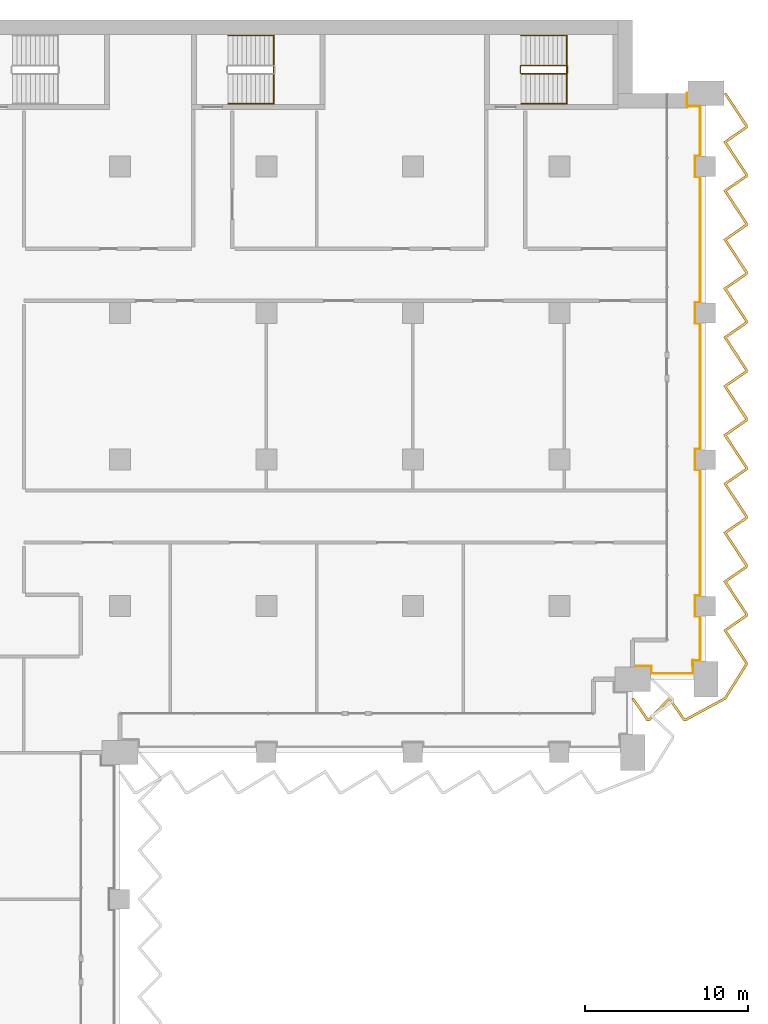
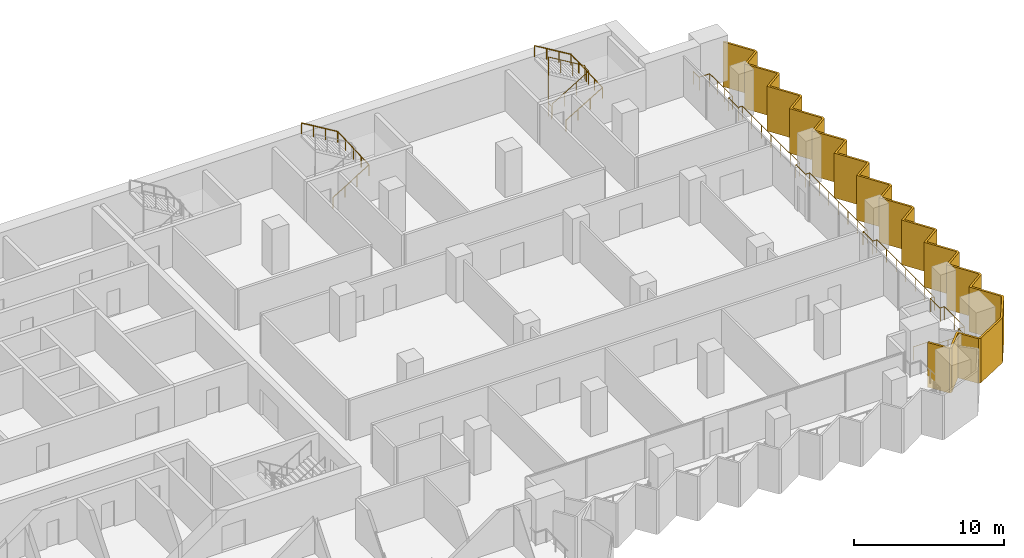
# One storey, part 22 of 22: 4 railings, 1 shading device.
"""IFC4 building model written with IfcOpenShell, lengths in metres."""

import ifcopenshell
import ifcopenshell.guid

model = None  # the IFC model being written
_history = None  # IfcOwnerHistory: only IFC2X3 demands one
_inside = {}  # id of a spatial element -> (the spatial element, [elements in it])
_under = {}  # id of a project, library or spatial element -> (it, [spatial elements below it])
_declared = {}  # id of a project -> (the project, [libraries it declares])
_typed = {}  # id of a type object -> (the type object, [elements of that type])
_made_of = {}  # id of a material, layer set ... -> (it, [elements and type objects made of it])


def new_model(schema):
    """Start an empty IFC model of exactly this schema.

    Asked for "IFC4X3", IfcOpenShell would pick the latest addendum, in which some entities
    have other attributes; the version numbers below select the first issue.
    IFC2X3 requires an IfcOwnerHistory on every rooted entity: one is made here for all.
    """
    global model, _history
    if schema == "IFC4X3":
        model = ifcopenshell.file(schema_version=(4, 3, 0, 0))
    else:
        model = ifcopenshell.file(schema=schema)
    _inside.clear()
    _under.clear()
    _declared.clear()
    _typed.clear()
    _made_of.clear()
    _history = None
    if model.schema == "IFC2X3":
        org = make("IfcOrganization", Name="unknown")
        user = make(
            "IfcPersonAndOrganization",
            ThePerson=make("IfcPerson", FamilyName="unknown"),
            TheOrganization=org,
        )
        app = make(
            "IfcApplication",
            ApplicationDeveloper=org,
            Version="unknown",
            ApplicationFullName="unknown",
            ApplicationIdentifier="unknown",
        )
        _history = make(
            "IfcOwnerHistory",
            OwningUser=user,
            OwningApplication=app,
            ChangeAction="ADDED",
            CreationDate=0,
        )
    return model


def make(cls, **values):
    """One entity of the class cls with the attributes given. An attribute that is None is left unset."""
    return model.create_entity(
        cls, **{name: value for name, value in values.items() if value is not None}
    )


def rooted(cls, **values):
    """An entity with a GlobalId (a new one), such as an element, a storey or a relation."""
    return make(cls, GlobalId=ifcopenshell.guid.new(), OwnerHistory=_history, **values)


def si_unit(unit_type, name, prefix=None):
    """IfcSIUnit, for example si_unit("LENGTHUNIT", "METRE", prefix="MILLI")."""
    return make("IfcSIUnit", UnitType=unit_type, Prefix=prefix, Name=name)


def assignment(units):
    """IfcUnitAssignment: the units of a project."""
    return None if units is None else make("IfcUnitAssignment", Units=units)


def point(xyz):
    """IfcCartesianPoint."""
    return None if xyz is None else make("IfcCartesianPoint", Coordinates=xyz)


def direction(xyz):
    """IfcDirection."""
    return None if xyz is None else make("IfcDirection", DirectionRatios=xyz)


def frame(location, z_axis=None, x_axis=None):
    """IfcAxis2Placement3D, a coordinate frame: its origin and axes. An axis left out is left unset."""
    return make(
        "IfcAxis2Placement3D",
        Location=point(location),
        Axis=direction(z_axis),
        RefDirection=direction(x_axis),
    )


def frame_2d(location, x_axis=None):
    """IfcAxis2Placement2D, a coordinate frame in the plane: its origin and x axis."""
    return make(
        "IfcAxis2Placement2D", Location=point(location), RefDirection=direction(x_axis)
    )


def origin():
    """The frame at (0, 0, 0) with its axes left unset."""
    return frame((0.0, 0.0, 0.0))


def origin_2d():
    """The frame at (0, 0) in the plane with its x axis left unset."""
    return frame_2d((0.0, 0.0))


def place(relative_to, where):
    """IfcLocalPlacement: puts the frame where relative to a parent placement (None: the world)."""
    return make(
        "IfcLocalPlacement", PlacementRelTo=relative_to, RelativePlacement=where
    )


def context(
    kind, dimensions, precision=None, world=None, true_north=None, identifier=None
):
    """IfcGeometricRepresentationContext, for example the 3D "Model" context."""
    return make(
        "IfcGeometricRepresentationContext",
        ContextIdentifier=identifier,
        ContextType=kind,
        CoordinateSpaceDimension=dimensions,
        Precision=precision,
        WorldCoordinateSystem=world,
        TrueNorth=true_north,
    )


def subcontext(parent, identifier, kind, view, scale=None):
    """IfcGeometricRepresentationSubContext, for example "Body" below "Model"."""
    return make(
        "IfcGeometricRepresentationSubContext",
        ContextIdentifier=identifier,
        ContextType=kind,
        ParentContext=parent,
        TargetScale=scale,
        TargetView=view,
    )


def project(units=None, contexts=None):
    """IfcProject with its units and contexts."""
    return rooted(
        "IfcProject",
        Name="project",
        RepresentationContexts=contexts,
        UnitsInContext=assignment(units),
    )


def spatial(cls, under=None, at=None, **own):
    """A site, building, storey or space (cls), placed at a placement, below another one or the project."""
    s = rooted(cls, ObjectPlacement=at, **own)
    if under is not None:
        _under.setdefault(under.id(), (under, []))[1].append(s)
    return s


def polyline(points):
    """IfcPolyline through the points."""
    return make("IfcPolyline", Points=[point(p) for p in points])


def profile(cls, at=None, kind="AREA", **sizes):
    """A parametric profile (cls). Its sizes go by their IFC names, for example OverallWidth=200.0."""
    return make(cls, ProfileType=kind, Position=at, **sizes)


def circle(**sizes):
    """IfcCircleProfileDef."""
    return profile("IfcCircleProfileDef", **sizes)


def outline(outer, holes=None, kind="AREA"):
    """IfcArbitraryClosedProfileDef: a profile drawn as a closed curve; with holes, ...WithVoids."""
    if holes is None:
        return make("IfcArbitraryClosedProfileDef", ProfileType=kind, OuterCurve=outer)
    return make(
        "IfcArbitraryProfileDefWithVoids",
        ProfileType=kind,
        OuterCurve=outer,
        InnerCurves=holes,
    )


def extrude(swept, where, along, depth):
    """IfcExtrudedAreaSolid: the profile swept, set in the frame where, extruded along a direction by depth."""
    return make(
        "IfcExtrudedAreaSolid",
        SweptArea=swept,
        Position=where,
        ExtrudedDirection=direction(along),
        Depth=depth,
    )


def shape(context_of_items, identifier, shape_type, items):
    """IfcShapeRepresentation: the items that make up one representation, for example the "Body"."""
    return make(
        "IfcShapeRepresentation",
        ContextOfItems=context_of_items,
        RepresentationIdentifier=identifier,
        RepresentationType=shape_type,
        Items=items,
    )


def material(Name=None, Category=None):
    """IfcMaterial."""
    return make("IfcMaterial", Name=Name, Category=Category)


def layer(
    of_material, thickness, ventilated=None, Name=None, Category=None, Priority=None
):
    """IfcMaterialLayer: one layer of a wall or slab, of a material (None: an air gap)."""
    return make(
        "IfcMaterialLayer",
        Material=of_material,
        LayerThickness=thickness,
        IsVentilated=ventilated,
        Name=Name,
        Category=Category,
        Priority=Priority,
    )


def layer_set(layers, Name=None):
    """IfcMaterialLayerSet."""
    return make("IfcMaterialLayerSet", MaterialLayers=layers, LayerSetName=Name)


def made_of(thing, what):
    """Note that an element or type object is made of a material, layer set ...; save() writes the relation."""
    if what is not None:
        _made_of.setdefault(what.id(), (what, []))[1].append(thing)
    return thing


def type_object(cls, material=None, **own):
    """A type object (cls), such as IfcWallType, which elements share."""
    return made_of(rooted(cls, **own), material)


def element(
    cls,
    number,
    at=None,
    inside=None,
    cuts=None,
    type_object=None,
    material=None,
    context=None,
    identifier="Body",
    shape_type=None,
    held_by="IfcProductDefinitionShape",
    body=None,
    shapes=None,
    **own,
):
    """One element of the class cls, such as IfcWall. Its Tag is "e" and its number.

    at: its placement. inside: the storey or other place that contains it. cuts: it is an
    opening in that element (IfcRelVoidsElement). A single representation is given by context,
    identifier, shape_type and body (its items); several are given by shapes. held_by: the class
    of the entity that holds the representations. save() writes the other relations.
    """
    e = rooted(cls, Tag="e%d" % number, ObjectPlacement=at, **own)
    if body is not None:
        shapes = [shape(context, identifier, shape_type, body)]
    if shapes is not None:
        e.Representation = make(held_by, Representations=shapes)
    if inside is not None:
        _inside.setdefault(inside.id(), (inside, []))[1].append(e)
    if cuts is not None:
        rooted(
            "IfcRelVoidsElement", RelatingBuildingElement=cuts, RelatedOpeningElement=e
        )
    if type_object is not None:
        _typed.setdefault(type_object.id(), (type_object, []))[1].append(e)
    return made_of(e, material)


def aggregate(whole, parts):
    """IfcRelAggregates: a whole, such as a stair, and the parts it consists of."""
    return rooted("IfcRelAggregates", RelatingObject=whole, RelatedObjects=parts)


def save(model, path):
    """Write the relations noted so far, then the file.

    IfcRelAggregates (storeys below a building ...), IfcRelContainedInSpatialStructure (elements
    in a storey), IfcRelDefinesByType, IfcRelAssociatesMaterial and IfcRelDeclares: one each for
    every whole, place, type object, material and project.
    """
    for whole, parts in _under.values():
        aggregate(whole, parts)
    for where, things in _inside.values():
        rooted(
            "IfcRelContainedInSpatialStructure",
            RelatedElements=things,
            RelatingStructure=where,
        )
    for kind, things in _typed.values():
        rooted("IfcRelDefinesByType", RelatedObjects=things, RelatingType=kind)
    for what, things in _made_of.values():
        rooted("IfcRelAssociatesMaterial", RelatedObjects=things, RelatingMaterial=what)
    for by, libraries in _declared.values():
        rooted("IfcRelDeclares", RelatingContext=by, RelatedDefinitions=libraries)
    model.write(path)


model = new_model("IFC4")

# Units and contexts
model_context = context("Model", 3, precision=1e-05, world=origin(), true_north=direction((0.0, 1.0)))
body_context = subcontext(model_context, "Body", "Model", "MODEL_VIEW")
ifc_project = project(units=[si_unit("LENGTHUNIT", "METRE"), si_unit("AREAUNIT", "SQUARE_METRE"), si_unit("VOLUMEUNIT", "CUBIC_METRE"), si_unit("PLANEANGLEUNIT", "RADIAN"), si_unit("MASSUNIT", "GRAM", prefix="KILO")], contexts=[model_context])

# Site, building, storey
site_placement = place(None, origin())
site = spatial("IfcSite", under=ifc_project, at=site_placement, CompositionType="ELEMENT")
building_placement = place(site_placement, origin())
building = spatial("IfcBuilding", under=site, at=building_placement, Name="Hunhe Ridgeline Campus", CompositionType="ELEMENT")
storey_placement = place(building_placement, frame((0.0, 0.0, 84.800048828125)))
storey = spatial("IfcBuildingStorey", under=building, at=storey_placement, Name="L20", CompositionType="ELEMENT", Elevation=84.800048828125)

# Railing
ifc_material_1 = material(Name="Steel Q355", Category="steel")
railing_type_1 = type_object("IfcRailingType", Name="Loggia guard 1100 Steel Q355", PredefinedType="GUARDRAIL", material=ifc_material_1)
railing_1_placement = place(storey_placement, frame((76.5, 59.320068359375, 0.0)))
element("IfcRailing", 1, at=railing_1_placement, inside=storey, type_object=railing_type_1, Name="Loggia guard 3", PredefinedType="GUARDRAIL", context=body_context, shape_type="SweptSolid", body=[
    extrude(circle(Radius=0.02392578125, at=origin_2d()), frame((0.0, 0.0, 1.076171875), z_axis=(1.0, 0.0, 0.0), x_axis=(0.0, 1.0, 0.0)), (0.0, 0.0, 1.0), 1.14990234375),
    extrude(circle(Radius=0.02392578125, at=origin_2d()), frame((1.14990234375, 0.0, 1.076171875), z_axis=(0.0, -1.0, 0.0), x_axis=(1.0, 0.0, 0.0)), (0.0, 0.0, 1.0), 0.469970703125),
    extrude(circle(Radius=0.02392578125, at=origin_2d()), frame((1.14990234375, -0.469970703125, 1.076171875), z_axis=(1.0, 0.0, 0.0), x_axis=(0.0, 1.0, 0.0)), (0.0, 0.0, 1.0), 2.550048828125),
    extrude(circle(Radius=0.02392578125, at=origin_2d()), frame((3.699951171875, -0.469970703125, 1.076171875), z_axis=(0.0, 1.0, 0.0), x_axis=(-1.0, 0.0, 0.0)), (0.0, 0.0, 1.0), 0.81982421875),
    extrude(circle(Radius=0.02392578125, at=origin_2d()), frame((3.699951171875, 0.349853515625, 1.076171875), z_axis=(-0.057129153726, -0.99836679622, 0.0), x_axis=(0.99836679622, -0.057129153726, 0.0)), (0.0, 0.0, 1.0), 0.350341796875),
    extrude(circle(Radius=0.02392578125, at=origin_2d()), frame((3.679931640625, 0.0, 1.076171875), z_axis=(0.0, 1.0, 0.0), x_axis=(-1.0, 0.0, 0.0)), (0.0, 0.0, 1.0), 0.329833984375),
    extrude(circle(Radius=0.02392578125, at=origin_2d()), frame((3.679931640625, 0.329833984375, 1.076171875), z_axis=(1.0, 0.0, 0.0), x_axis=(0.0, 1.0, 0.0)), (0.0, 0.0, 1.0), 0.469970703125),
    extrude(circle(Radius=0.02392578125, at=origin_2d()), frame((4.14990234375, 0.329833984375, 1.076171875), z_axis=(0.0, 1.0, 0.0), x_axis=(-1.0, 0.0, 0.0)), (0.0, 0.0, 1.0), 2.7001953125),
    extrude(circle(Radius=0.02392578125, at=origin_2d()), frame((4.14990234375, 3.030029296875, 1.076171875), z_axis=(-1.0, 0.0, 0.0), x_axis=(0.0, -1.0, 0.0)), (0.0, 0.0, 1.0), 0.31982421875),
    extrude(circle(Radius=0.02392578125, at=origin_2d()), frame((3.830078125, 3.030029296875, 1.076171875), z_axis=(0.0, 1.0, 0.0), x_axis=(-1.0, 0.0, 0.0)), (0.0, 0.0, 1.0), 1.2998046875),
    extrude(circle(Radius=0.02392578125, at=origin_2d()), frame((3.830078125, 4.329833984375, 1.076171875), z_axis=(1.0, 0.0, 0.0), x_axis=(0.0, 1.0, 0.0)), (0.0, 0.0, 1.0), 0.31982421875),
    extrude(circle(Radius=0.02392578125, at=origin_2d()), frame((4.14990234375, 4.329833984375, 1.076171875), z_axis=(0.0, 1.0, 0.0), x_axis=(-1.0, 0.0, 0.0)), (0.0, 0.0, 1.0), 7.7001953125),
    extrude(circle(Radius=0.02392578125, at=origin_2d()), frame((4.14990234375, 12.030029296875, 1.076171875), z_axis=(-1.0, 0.0, 0.0), x_axis=(0.0, -1.0, 0.0)), (0.0, 0.0, 1.0), 0.31982421875),
    extrude(circle(Radius=0.02392578125, at=origin_2d()), frame((3.830078125, 12.030029296875, 1.076171875), z_axis=(0.0, 1.0, 0.0), x_axis=(-1.0, 0.0, 0.0)), (0.0, 0.0, 1.0), 1.2998046875),
    extrude(circle(Radius=0.02392578125, at=origin_2d()), frame((3.830078125, 13.329833984375, 1.076171875), z_axis=(1.0, 0.0, 0.0), x_axis=(0.0, 1.0, 0.0)), (0.0, 0.0, 1.0), 0.31982421875),
    extrude(circle(Radius=0.02392578125, at=origin_2d()), frame((4.14990234375, 13.329833984375, 1.076171875), z_axis=(0.0, 1.0, 0.0), x_axis=(-1.0, 0.0, 0.0)), (0.0, 0.0, 1.0), 7.7001953125),
    extrude(circle(Radius=0.02392578125, at=origin_2d()), frame((4.14990234375, 21.030029296875, 1.076171875), z_axis=(-1.0, 0.0, 0.0), x_axis=(0.0, -1.0, 0.0)), (0.0, 0.0, 1.0), 0.31982421875),
    extrude(circle(Radius=0.02392578125, at=origin_2d()), frame((3.830078125, 21.030029296875, 1.076171875), z_axis=(0.0, 1.0, 0.0), x_axis=(-1.0, 0.0, 0.0)), (0.0, 0.0, 1.0), 1.2998046875),
    extrude(circle(Radius=0.02392578125, at=origin_2d()), frame((3.830078125, 22.329833984375, 1.076171875), z_axis=(1.0, 0.0, 0.0), x_axis=(0.0, 1.0, 0.0)), (0.0, 0.0, 1.0), 0.31982421875),
    extrude(circle(Radius=0.02392578125, at=origin_2d()), frame((4.14990234375, 22.329833984375, 1.076171875), z_axis=(0.0, 1.0, 0.0), x_axis=(-1.0, 0.0, 0.0)), (0.0, 0.0, 1.0), 7.7001953125),
    extrude(circle(Radius=0.02392578125, at=origin_2d()), frame((4.14990234375, 30.030029296875, 1.076171875), z_axis=(-1.0, 0.0, 0.0), x_axis=(0.0, -1.0, 0.0)), (0.0, 0.0, 1.0), 0.31982421875),
    extrude(circle(Radius=0.02392578125, at=origin_2d()), frame((3.830078125, 30.030029296875, 1.076171875), z_axis=(0.0, 1.0, 0.0), x_axis=(-1.0, 0.0, 0.0)), (0.0, 0.0, 1.0), 1.2998046875),
    extrude(circle(Radius=0.02392578125, at=origin_2d()), frame((3.830078125, 31.329833984375, 1.076171875), z_axis=(1.0, 0.0, 0.0), x_axis=(0.0, 1.0, 0.0)), (0.0, 0.0, 1.0), 0.31982421875),
    extrude(circle(Radius=0.02392578125, at=origin_2d()), frame((4.14990234375, 31.329833984375, 1.076171875), z_axis=(0.0, 1.0, 0.0), x_axis=(-1.0, 0.0, 0.0)), (0.0, 0.0, 1.0), 3.050048828125),
    extrude(circle(Radius=0.02392578125, at=origin_2d()), frame((4.14990234375, 34.3798828125, 1.076171875), z_axis=(-1.0, 0.0, 0.0), x_axis=(0.0, -1.0, 0.0)), (0.0, 0.0, 1.0), 0.81982421875),
    extrude(circle(Radius=0.02392578125, at=origin_2d()), frame((3.330078125, 34.3798828125, 1.076171875), z_axis=(0.0, 1.0, 0.0), x_axis=(-1.0, 0.0, 0.0)), (0.0, 0.0, 1.0), 0.800048828125),
    extrude(circle(Radius=0.02099609375, at=origin_2d()), origin(), (0.0, 0.0, 1.0), 1.052001953125),
    extrude(circle(Radius=0.02099609375, at=origin_2d()), frame((1.14990234375, 0.0, 0.0)), (0.0, 0.0, 1.0), 1.052001953125),
    extrude(circle(Radius=0.02099609375, at=origin_2d()), frame((1.14990234375, -0.469970703125, 0.0)), (0.0, 0.0, 1.0), 1.052001953125),
    extrude(circle(Radius=0.02099609375, at=origin_2d()), frame((2.4248046875, -0.469970703125, 0.0)), (0.0, 0.0, 1.0), 1.052001953125),
    extrude(circle(Radius=0.02099609375, at=origin_2d()), frame((3.699951171875, -0.469970703125, 0.0)), (0.0, 0.0, 1.0), 1.052001953125),
    extrude(circle(Radius=0.02099609375, at=origin_2d()), frame((3.699951171875, 0.349853515625, 0.0)), (0.0, 0.0, 1.0), 1.052001953125),
    extrude(circle(Radius=0.02099609375, at=origin_2d()), frame((3.679931640625, 0.0, 0.0)), (0.0, 0.0, 1.0), 1.052001953125),
    extrude(circle(Radius=0.02099609375, at=origin_2d()), frame((3.679931640625, 0.329833984375, 0.0)), (0.0, 0.0, 1.0), 1.052001953125),
    extrude(circle(Radius=0.02099609375, at=origin_2d()), frame((4.14990234375, 0.329833984375, 0.0)), (0.0, 0.0, 1.0), 1.052001953125),
    extrude(circle(Radius=0.02099609375, at=origin_2d()), frame((4.14990234375, 1.679931640625, 0.0)), (0.0, 0.0, 1.0), 1.052001953125),
    extrude(circle(Radius=0.02099609375, at=origin_2d()), frame((4.14990234375, 3.030029296875, 0.0)), (0.0, 0.0, 1.0), 1.052001953125),
    extrude(circle(Radius=0.02099609375, at=origin_2d()), frame((3.830078125, 3.030029296875, 0.0)), (0.0, 0.0, 1.0), 1.052001953125),
    extrude(circle(Radius=0.02099609375, at=origin_2d()), frame((3.830078125, 4.329833984375, 0.0)), (0.0, 0.0, 1.0), 1.052001953125),
    extrude(circle(Radius=0.02099609375, at=origin_2d()), frame((4.14990234375, 4.329833984375, 0.0)), (0.0, 0.0, 1.0), 1.052001953125),
    extrude(circle(Radius=0.02099609375, at=origin_2d()), frame((4.14990234375, 5.61328125, 0.0)), (0.0, 0.0, 1.0), 1.052001953125),
    extrude(circle(Radius=0.02099609375, at=origin_2d()), frame((4.14990234375, 6.896484375, 0.0)), (0.0, 0.0, 1.0), 1.052001953125),
    extrude(circle(Radius=0.02099609375, at=origin_2d()), frame((4.14990234375, 8.179931640625, 0.0)), (0.0, 0.0, 1.0), 1.052001953125),
    extrude(circle(Radius=0.02099609375, at=origin_2d()), frame((4.14990234375, 9.46337890625, 0.0)), (0.0, 0.0, 1.0), 1.052001953125),
    extrude(circle(Radius=0.02099609375, at=origin_2d()), frame((4.14990234375, 10.74658203125, 0.0)), (0.0, 0.0, 1.0), 1.052001953125),
    extrude(circle(Radius=0.02099609375, at=origin_2d()), frame((4.14990234375, 12.030029296875, 0.0)), (0.0, 0.0, 1.0), 1.052001953125),
    extrude(circle(Radius=0.02099609375, at=origin_2d()), frame((3.830078125, 12.030029296875, 0.0)), (0.0, 0.0, 1.0), 1.052001953125),
    extrude(circle(Radius=0.02099609375, at=origin_2d()), frame((3.830078125, 13.329833984375, 0.0)), (0.0, 0.0, 1.0), 1.052001953125),
    extrude(circle(Radius=0.02099609375, at=origin_2d()), frame((4.14990234375, 13.329833984375, 0.0)), (0.0, 0.0, 1.0), 1.052001953125),
    extrude(circle(Radius=0.02099609375, at=origin_2d()), frame((4.14990234375, 14.61328125, 0.0)), (0.0, 0.0, 1.0), 1.052001953125),
    extrude(circle(Radius=0.02099609375, at=origin_2d()), frame((4.14990234375, 15.896484375, 0.0)), (0.0, 0.0, 1.0), 1.052001953125),
    extrude(circle(Radius=0.02099609375, at=origin_2d()), frame((4.14990234375, 17.179931640625, 0.0)), (0.0, 0.0, 1.0), 1.052001953125),
    extrude(circle(Radius=0.02099609375, at=origin_2d()), frame((4.14990234375, 18.46337890625, 0.0)), (0.0, 0.0, 1.0), 1.052001953125),
    extrude(circle(Radius=0.02099609375, at=origin_2d()), frame((4.14990234375, 19.74658203125, 0.0)), (0.0, 0.0, 1.0), 1.052001953125),
    extrude(circle(Radius=0.02099609375, at=origin_2d()), frame((4.14990234375, 21.030029296875, 0.0)), (0.0, 0.0, 1.0), 1.052001953125),
    extrude(circle(Radius=0.02099609375, at=origin_2d()), frame((3.830078125, 21.030029296875, 0.0)), (0.0, 0.0, 1.0), 1.052001953125),
    extrude(circle(Radius=0.02099609375, at=origin_2d()), frame((3.830078125, 22.329833984375, 0.0)), (0.0, 0.0, 1.0), 1.052001953125),
    extrude(circle(Radius=0.02099609375, at=origin_2d()), frame((4.14990234375, 22.329833984375, 0.0)), (0.0, 0.0, 1.0), 1.052001953125),
    extrude(circle(Radius=0.02099609375, at=origin_2d()), frame((4.14990234375, 23.61328125, 0.0)), (0.0, 0.0, 1.0), 1.052001953125),
    extrude(circle(Radius=0.02099609375, at=origin_2d()), frame((4.14990234375, 24.896484375, 0.0)), (0.0, 0.0, 1.0), 1.052001953125),
    extrude(circle(Radius=0.02099609375, at=origin_2d()), frame((4.14990234375, 26.179931640625, 0.0)), (0.0, 0.0, 1.0), 1.052001953125),
    extrude(circle(Radius=0.02099609375, at=origin_2d()), frame((4.14990234375, 27.46337890625, 0.0)), (0.0, 0.0, 1.0), 1.052001953125),
    extrude(circle(Radius=0.02099609375, at=origin_2d()), frame((4.14990234375, 28.74658203125, 0.0)), (0.0, 0.0, 1.0), 1.052001953125),
    extrude(circle(Radius=0.02099609375, at=origin_2d()), frame((4.14990234375, 30.030029296875, 0.0)), (0.0, 0.0, 1.0), 1.052001953125),
    extrude(circle(Radius=0.02099609375, at=origin_2d()), frame((3.830078125, 30.030029296875, 0.0)), (0.0, 0.0, 1.0), 1.052001953125),
    extrude(circle(Radius=0.02099609375, at=origin_2d()), frame((3.830078125, 31.329833984375, 0.0)), (0.0, 0.0, 1.0), 1.052001953125),
    extrude(circle(Radius=0.02099609375, at=origin_2d()), frame((4.14990234375, 31.329833984375, 0.0)), (0.0, 0.0, 1.0), 1.052001953125),
    extrude(circle(Radius=0.02099609375, at=origin_2d()), frame((4.14990234375, 32.346435546875, 0.0)), (0.0, 0.0, 1.0), 1.052001953125),
    extrude(circle(Radius=0.02099609375, at=origin_2d()), frame((4.14990234375, 33.36328125, 0.0)), (0.0, 0.0, 1.0), 1.052001953125),
    extrude(circle(Radius=0.02099609375, at=origin_2d()), frame((4.14990234375, 34.3798828125, 0.0)), (0.0, 0.0, 1.0), 1.052001953125),
    extrude(circle(Radius=0.02099609375, at=origin_2d()), frame((3.330078125, 34.3798828125, 0.0)), (0.0, 0.0, 1.0), 1.052001953125),
    extrude(circle(Radius=0.02099609375, at=origin_2d()), frame((3.330078125, 35.179931640625, 0.0)), (0.0, 0.0, 1.0), 1.052001953125),
])

# Shading device
ifc_material_2 = material(Name="Concrete C50", Category="concrete")
ifc_layer = layer(ifc_material_2, 0.14990234375)
ifc_layer_set = layer_set([ifc_layer], Name="Sawtooth concrete fin 150 Concrete C50")
shading_device_type = type_object("IfcShadingDeviceType", Name="Sawtooth concrete fin 150 Concrete C50", PredefinedType="USERDEFINED", material=ifc_layer_set)
shading_device_placement = place(storey_placement, frame((0.0, 0.0, -0.949951171875)))
element("IfcShadingDevice", 2, at=shading_device_placement, inside=storey, type_object=shading_device_type, Name="Concrete fin screen 3", ObjectType="FIN", PredefinedType="USERDEFINED", context=body_context, shape_type="SweptSolid", body=[
    extrude(outline(polyline([(76.5615234375, 57.36767578125), (76.4384765625, 57.2822265625), (77.363525390625, 55.949951171875), (77.554931640625, 55.949951171875), (78.7412109375, 57.206298828125), (79.613525390625, 55.949951171875), (79.791748046875, 55.949951171875), (82.22802734375, 57.2685546875), (83.550048828125, 59.381103515625), (83.550048828125, 59.545166015625), (82.27783203125, 61.47998046875), (83.550048828125, 62.363525390625), (83.550048828125, 62.545166015625), (82.27783203125, 64.47998046875), (83.550048828125, 65.363525390625), (83.550048828125, 65.545166015625), (82.27783203125, 67.47998046875), (83.550048828125, 68.363525390625), (83.550048828125, 68.545166015625), (82.27783203125, 70.47998046875), (83.550048828125, 71.363525390625), (83.550048828125, 71.545166015625), (82.27783203125, 73.47998046875), (83.550048828125, 74.363525390625), (83.550048828125, 74.545166015625), (82.27783203125, 76.47998046875), (83.550048828125, 77.363525390625), (83.550048828125, 77.545166015625), (82.27783203125, 79.47998046875), (83.550048828125, 80.363525390625), (83.550048828125, 80.545166015625), (82.27783203125, 82.47998046875), (83.550048828125, 83.363525390625), (83.550048828125, 83.545166015625), (82.27783203125, 85.47998046875), (83.550048828125, 86.363525390625), (83.550048828125, 86.545166015625), (82.27783203125, 88.47998046875), (83.550048828125, 89.363525390625), (83.550048828125, 89.545166015625), (82.27783203125, 91.47998046875), (83.550048828125, 92.363525390625), (83.550048828125, 92.545166015625), (82.237548828125, 94.541259765625), (82.1123046875, 94.458740234375), (83.39990234375, 92.500244140625), (83.39990234375, 92.44189453125), (82.072265625, 91.52001953125), (83.39990234375, 89.500244140625), (83.39990234375, 89.44189453125), (82.072265625, 88.52001953125), (83.39990234375, 86.500244140625), (83.39990234375, 86.44189453125), (82.072265625, 85.52001953125), (83.39990234375, 83.500244140625), (83.39990234375, 83.44189453125), (82.072265625, 82.52001953125), (83.39990234375, 80.500244140625), (83.39990234375, 80.44189453125), (82.072265625, 79.52001953125), (83.39990234375, 77.500244140625), (83.39990234375, 77.44189453125), (82.072265625, 76.52001953125), (83.39990234375, 74.500244140625), (83.39990234375, 74.44189453125), (82.072265625, 73.52001953125), (83.39990234375, 71.500244140625), (83.39990234375, 71.44189453125), (82.072265625, 70.52001953125), (83.39990234375, 68.500244140625), (83.39990234375, 68.44189453125), (82.072265625, 67.52001953125), (83.39990234375, 65.500244140625), (83.39990234375, 65.44189453125), (82.072265625, 64.52001953125), (83.39990234375, 62.500244140625), (83.39990234375, 62.44189453125), (82.072265625, 61.52001953125), (83.39990234375, 59.500244140625), (83.39990234375, 59.42431640625), (82.121826171875, 57.381591796875), (79.753662109375, 56.10009765625), (79.69189453125, 56.10009765625), (78.7587890625, 57.443603515625), (77.490234375, 56.10009765625), (77.44189453125, 56.10009765625), (76.5615234375, 57.36767578125)])), origin(), (0.0, 0.0, 1.0), 3.64990234375),
])

# Railings
ifc_material_3 = material(Name="Stainless steel balustrade", Category="steel")
railing_type_2 = type_object("IfcRailingType", Name="Stair guard 1100 stainless", PredefinedType="GUARDRAIL", material=ifc_material_3)
railing_2_placement = place(storey_placement, frame((69.64990234375, 95.699951171875, 0.168212890625)))
element("IfcRailing", 3, at=railing_2_placement, inside=storey, type_object=railing_type_2, Name="L20 stair E3 guard", PredefinedType="GUARDRAIL", context=body_context, shape_type="SweptSolid", body=[
    extrude(circle(Radius=0.02392578125, at=origin_2d()), frame((0.0, 0.0, 1.076171875), z_axis=(0.857275202839, 0.0, 0.514858452973), x_axis=(0.0, 1.0, 0.0)), (0.0, 0.0, 1.0), 3.26611328125),
    extrude(circle(Radius=0.02392578125, at=origin_2d()), frame((2.800048828125, 0.0, 2.7578125), z_axis=(0.707106781187, 0.707106781187, 0.0), x_axis=(-0.707106781187, 0.707106781187, 0.0)), (0.0, 0.0, 1.0), 0.07080078125),
    extrude(circle(Radius=0.02392578125, at=origin_2d()), frame((2.85009765625, 0.050048828125, 2.7578125), z_axis=(0.0, 1.0, 0.0), x_axis=(-1.0, 0.0, 0.0)), (0.0, 0.0, 1.0), 0.39990234375),
    extrude(circle(Radius=0.02392578125, at=origin_2d()), frame((2.85009765625, 0.449951171875, 2.7578125), z_axis=(-0.274243871929, 0.274243871929, 0.92172696468), x_axis=(-0.707106781187, -0.707106781187, 0.0)), (0.0, 0.0, 1.0), 0.1826171875),
    extrude(circle(Radius=0.02392578125, at=origin_2d()), frame((2.800048828125, 0.5, 2.92578125), z_axis=(-0.857242210791, 0.0, 0.514913383045), x_axis=(0.0, -1.0, 0.0)), (0.0, 0.0, 1.0), 3.266357421875),
    extrude(circle(Radius=0.02392578125, at=origin_2d()), frame((0.0, 0.5, 4.60791015625), z_axis=(-0.013458453615, -0.013524426427, -0.999817963389), x_axis=(0.708833529934, -0.705375805398, 0.0)), (0.0, 0.0, 1.0), 3.70068359375),
    extrude(circle(Radius=0.02392578125, at=origin_2d()), frame((-0.0498046875, 0.449951171875, 0.90771484375), z_axis=(0.0, -1.0, 0.0), x_axis=(1.0, 0.0, 0.0)), (0.0, 0.0, 1.0), 0.39990234375),
    extrude(circle(Radius=0.02099609375, at=origin_2d()), origin(), (0.0, 0.0, 1.0), 1.052001953125),
    extrude(circle(Radius=0.02099609375, at=origin_2d()), frame((0.933349609375, 0.0, 0.560546875)), (0.0, 0.0, 1.0), 1.052001953125),
    extrude(circle(Radius=0.02099609375, at=origin_2d()), frame((1.86669921875, 0.0, 1.12109375)), (0.0, 0.0, 1.0), 1.052001953125),
    extrude(circle(Radius=0.02099609375, at=origin_2d()), frame((2.800048828125, 0.0, 1.681640625)), (0.0, 0.0, 1.0), 1.052001953125),
    extrude(circle(Radius=0.02099609375, at=origin_2d()), frame((2.85009765625, 0.050048828125, 1.681640625)), (0.0, 0.0, 1.0), 1.052001953125),
    extrude(circle(Radius=0.02099609375, at=origin_2d()), frame((2.85009765625, 0.449951171875, 1.681640625)), (0.0, 0.0, 1.0), 1.052001953125),
    extrude(circle(Radius=0.02099609375, at=origin_2d()), frame((2.800048828125, 0.5, 1.849853515625)), (0.0, 0.0, 1.0), 1.052001953125),
    extrude(circle(Radius=0.02099609375, at=origin_2d()), frame((1.86669921875, 0.5, 2.410400390625)), (0.0, 0.0, 1.0), 1.052001953125),
    extrude(circle(Radius=0.02099609375, at=origin_2d()), frame((0.933349609375, 0.5, 2.97119140625)), (0.0, 0.0, 1.0), 1.052001953125),
    extrude(circle(Radius=0.02099609375, at=origin_2d()), frame((0.0, 0.5, 3.53173828125)), (0.0, 0.0, 1.0), 1.052001953125),
    extrude(circle(Radius=0.02099609375, at=origin_2d()), frame((-0.012451171875, 0.487548828125, 2.606689453125)), (0.0, 0.0, 1.0), 1.052001953125),
    extrude(circle(Radius=0.02099609375, at=origin_2d()), frame((-0.02490234375, 0.47509765625, 1.681640625)), (0.0, 0.0, 1.0), 1.052001953125),
    extrude(circle(Radius=0.02099609375, at=origin_2d()), frame((-0.037353515625, 0.46240234375, 0.7568359375)), (0.0, 0.0, 1.0), 1.052001953125),
    extrude(circle(Radius=0.02099609375, at=origin_2d()), frame((-0.0498046875, 0.449951171875, -0.168212890625)), (0.0, 0.0, 1.0), 1.052001953125),
    extrude(circle(Radius=0.02099609375, at=origin_2d()), frame((-0.0498046875, 0.050048828125, -0.168212890625)), (0.0, 0.0, 1.0), 1.052001953125),
])
ifc_material_4 = material(Name="Stainless steel handrail", Category="steel")
railing_type_3 = type_object("IfcRailingType", Name="Stair handrail 900 stainless", PredefinedType="HANDRAIL", material=ifc_material_4)
railing_3_placement = place(storey_placement, frame((51.64990234375, 93.85009765625, 0.168212890625)))
element("IfcRailing", 4, at=railing_3_placement, inside=storey, type_object=railing_type_3, Name="L20 stair E2 handrail", PredefinedType="HANDRAIL", context=body_context, shape_type="SweptSolid", body=[
    extrude(circle(Radius=0.02392578125, at=origin_2d()), frame((0.0, 0.0, 0.8759765625), z_axis=(0.857275202839, 0.0, 0.514858452973), x_axis=(0.0, 1.0, 0.0)), (0.0, 0.0, 1.0), 3.26611328125),
    extrude(circle(Radius=0.02392578125, at=origin_2d()), frame((2.800048828125, 0.0, 2.5576171875), z_axis=(0.0, 0.999198916169, 0.040019069537), x_axis=(-1.0, 0.0, 0.0)), (0.0, 0.0, 1.0), 4.203369140625),
    extrude(circle(Radius=0.02392578125, at=origin_2d()), frame((2.800048828125, 4.199951171875, 2.7255859375), z_axis=(-0.857242210791, 0.0, 0.514913383045), x_axis=(0.0, -1.0, 0.0)), (0.0, 0.0, 1.0), 3.266357421875),
    extrude(circle(Radius=0.02099609375, at=origin_2d()), origin(), (0.0, 0.0, 1.0), 0.851806640625),
    extrude(circle(Radius=0.02099609375, at=origin_2d()), frame((0.933349609375, 0.0, 0.560546875)), (0.0, 0.0, 1.0), 0.851806640625),
    extrude(circle(Radius=0.02099609375, at=origin_2d()), frame((1.86669921875, 0.0, 1.12109375)), (0.0, 0.0, 1.0), 0.851806640625),
    extrude(circle(Radius=0.02099609375, at=origin_2d()), frame((2.800048828125, 0.0, 1.681640625)), (0.0, 0.0, 1.0), 0.851806640625),
    extrude(circle(Radius=0.02099609375, at=origin_2d()), frame((2.800048828125, 1.050048828125, 1.7236328125)), (0.0, 0.0, 1.0), 0.851806640625),
    extrude(circle(Radius=0.02099609375, at=origin_2d()), frame((2.800048828125, 2.10009765625, 1.765625)), (0.0, 0.0, 1.0), 0.851806640625),
    extrude(circle(Radius=0.02099609375, at=origin_2d()), frame((2.800048828125, 3.14990234375, 1.807861328125)), (0.0, 0.0, 1.0), 0.851806640625),
    extrude(circle(Radius=0.02099609375, at=origin_2d()), frame((2.800048828125, 4.199951171875, 1.849853515625)), (0.0, 0.0, 1.0), 0.851806640625),
    extrude(circle(Radius=0.02099609375, at=origin_2d()), frame((1.86669921875, 4.199951171875, 2.410400390625)), (0.0, 0.0, 1.0), 0.851806640625),
    extrude(circle(Radius=0.02099609375, at=origin_2d()), frame((0.933349609375, 4.199951171875, 2.97119140625)), (0.0, 0.0, 1.0), 0.851806640625),
    extrude(circle(Radius=0.02099609375, at=origin_2d()), frame((0.0, 4.199951171875, 3.53173828125)), (0.0, 0.0, 1.0), 0.851806640625),
])
railing_4_placement = place(storey_placement, frame((69.64990234375, 93.85009765625, 0.168212890625)))
element("IfcRailing", 5, at=railing_4_placement, inside=storey, type_object=railing_type_3, Name="L20 stair E3 handrail", PredefinedType="HANDRAIL", context=body_context, shape_type="SweptSolid", body=[
    extrude(circle(Radius=0.02392578125, at=origin_2d()), frame((0.0, 0.0, 0.8759765625), z_axis=(0.857275202839, 0.0, 0.514858452973), x_axis=(0.0, 1.0, 0.0)), (0.0, 0.0, 1.0), 3.26611328125),
    extrude(circle(Radius=0.02392578125, at=origin_2d()), frame((2.800048828125, 0.0, 2.5576171875), z_axis=(0.0, 0.999198916169, 0.040019069537), x_axis=(-1.0, 0.0, 0.0)), (0.0, 0.0, 1.0), 4.203369140625),
    extrude(circle(Radius=0.02392578125, at=origin_2d()), frame((2.800048828125, 4.199951171875, 2.7255859375), z_axis=(-0.857242210791, 0.0, 0.514913383045), x_axis=(0.0, -1.0, 0.0)), (0.0, 0.0, 1.0), 3.266357421875),
    extrude(circle(Radius=0.02099609375, at=origin_2d()), origin(), (0.0, 0.0, 1.0), 0.851806640625),
    extrude(circle(Radius=0.02099609375, at=origin_2d()), frame((0.933349609375, 0.0, 0.560546875)), (0.0, 0.0, 1.0), 0.851806640625),
    extrude(circle(Radius=0.02099609375, at=origin_2d()), frame((1.86669921875, 0.0, 1.12109375)), (0.0, 0.0, 1.0), 0.851806640625),
    extrude(circle(Radius=0.02099609375, at=origin_2d()), frame((2.800048828125, 0.0, 1.681640625)), (0.0, 0.0, 1.0), 0.851806640625),
    extrude(circle(Radius=0.02099609375, at=origin_2d()), frame((2.800048828125, 1.050048828125, 1.7236328125)), (0.0, 0.0, 1.0), 0.851806640625),
    extrude(circle(Radius=0.02099609375, at=origin_2d()), frame((2.800048828125, 2.10009765625, 1.765625)), (0.0, 0.0, 1.0), 0.851806640625),
    extrude(circle(Radius=0.02099609375, at=origin_2d()), frame((2.800048828125, 3.14990234375, 1.807861328125)), (0.0, 0.0, 1.0), 0.851806640625),
    extrude(circle(Radius=0.02099609375, at=origin_2d()), frame((2.800048828125, 4.199951171875, 1.849853515625)), (0.0, 0.0, 1.0), 0.851806640625),
    extrude(circle(Radius=0.02099609375, at=origin_2d()), frame((1.86669921875, 4.199951171875, 2.410400390625)), (0.0, 0.0, 1.0), 0.851806640625),
    extrude(circle(Radius=0.02099609375, at=origin_2d()), frame((0.933349609375, 4.199951171875, 2.97119140625)), (0.0, 0.0, 1.0), 0.851806640625),
    extrude(circle(Radius=0.02099609375, at=origin_2d()), frame((0.0, 4.199951171875, 3.53173828125)), (0.0, 0.0, 1.0), 0.851806640625),
])

save(model, "model.ifc")
